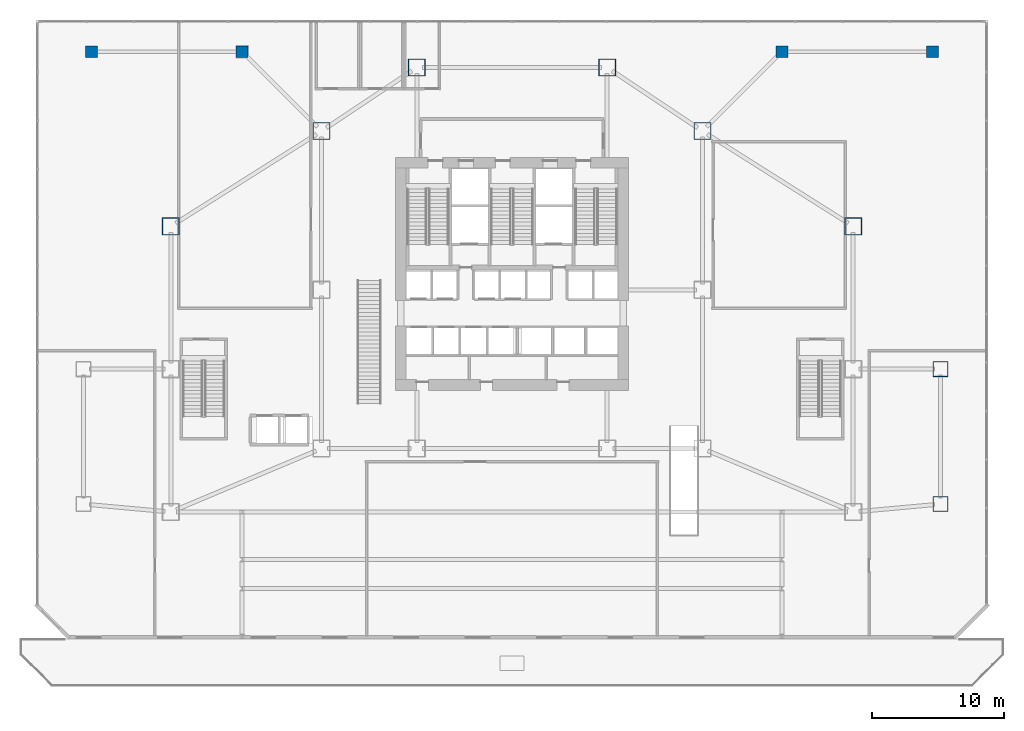
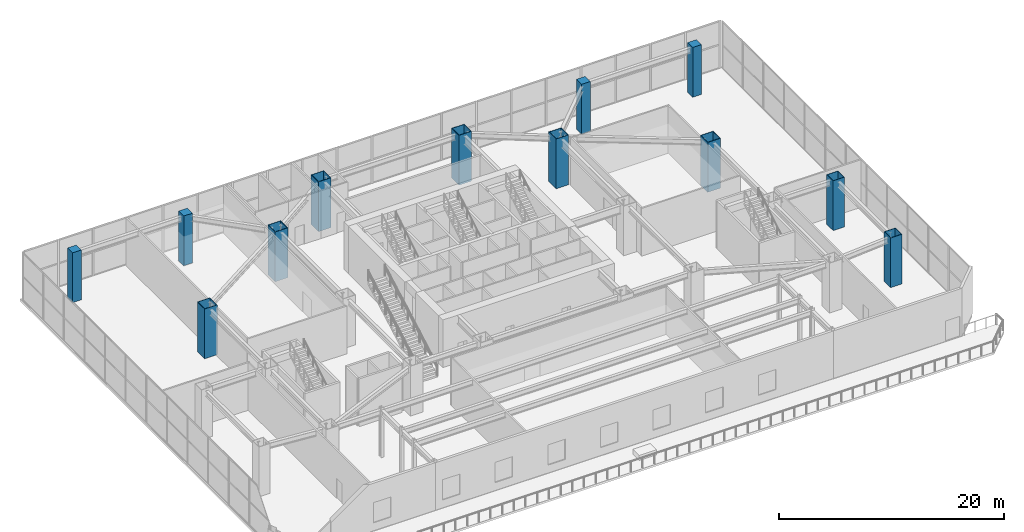
# One storey, part 3 of 37: 12 columns.
"""IFC4 building model written with IfcOpenShell, lengths in metres."""

from ifc_helpers import new_model, si_unit, direction, frame, origin, origin_2d, place, context, subcontext, project, spatial, rectangle, hollow_rectangle, extrude, material, material_profile, profile_set, type_object, element, save


model = new_model("IFC4")

# Units and contexts
model_context = context("Model", 3, precision=1e-05, world=origin(), true_north=direction((0.0, 1.0)))
body_context = subcontext(model_context, "Body", "Model", "MODEL_VIEW")
ifc_project = project(units=[si_unit("LENGTHUNIT", "METRE"), si_unit("AREAUNIT", "SQUARE_METRE"), si_unit("VOLUMEUNIT", "CUBIC_METRE"), si_unit("PLANEANGLEUNIT", "RADIAN"), si_unit("MASSUNIT", "GRAM", prefix="KILO")], contexts=[model_context])

# Site, building, storey
site_placement = place(None, origin())
site = spatial("IfcSite", under=ifc_project, at=site_placement, CompositionType="ELEMENT")
building_placement = place(site_placement, origin())
building = spatial("IfcBuilding", under=site, at=building_placement, Name="Haolan Belvedere Tower", CompositionType="ELEMENT")
storey_placement = place(building_placement, frame((0.0, 0.0, 10.199951171875)))
storey = spatial("IfcBuildingStorey", under=building, at=storey_placement, Name="L02", CompositionType="ELEMENT", Elevation=10.199951171875)

# Columns
ifc_material_1 = material(Name="Steel Q355B", Category="steel")
ifc_material_profile_1 = material_profile(ifc_material_1, hollow_rectangle(XDim=1.14990234375, YDim=1.14990234375, WallThickness=0.0419921875, at=origin_2d()), Name="Steel Q355B")
ifc_profile_set_1 = profile_set([ifc_material_profile_1], Name="Steel Q355B")
column_type_1 = type_object("IfcColumnType", Name="COL-BOX1150x1150x42", PredefinedType="COLUMN", material=ifc_profile_set_1)
for number, where, z_axis, x_axis, name in (
    (1, (70.800048828125, 17.39990234375, 0.0), (0.0, 0.0, 1.0), (1.0, 0.0, 0.0), "L02 column MC-T5-SE (BOX1150x1150x42)"),
    (2, (70.800048828125, 27.60009765625, 0.0), (0.0, 0.0, 1.0), (1.0, 0.0, 0.0), "L02 column MC-T5-NE (BOX1150x1150x42)"),
):
    element("IfcColumn", number, at=place(storey_placement, frame(where, z_axis=z_axis, x_axis=x_axis)), inside=storey, type_object=column_type_1, Name=name, PredefinedType="COLUMN", context=body_context, shape_type="SweptSolid", body=[
        extrude(hollow_rectangle(XDim=1.14990234375, YDim=1.14990234375, WallThickness=0.0419921875, at=origin_2d()), origin(), (0.0, 0.0, 1.0), 5.400146484375),
    ])
ifc_material_profile_2 = material_profile(ifc_material_1, hollow_rectangle(XDim=1.300048828125, YDim=1.300048828125, WallThickness=0.048095703125, at=origin_2d()), Name="Steel Q355B")
ifc_profile_set_2 = profile_set([ifc_material_profile_2], Name="Steel Q355B")
column_type_2 = type_object("IfcColumnType", Name="COL-BOX1300x1300x48", PredefinedType="COLUMN", material=ifc_profile_set_2)
for number, where, z_axis, x_axis, name in (
    (3, (24.0, 45.60009765625, 0.0), (0.0, 0.0, 1.0), (1.0, 0.0, 0.0), "L02 column MC-T3-NW (BOX1300x1300x48)"),
    (4, (52.800048828125, 45.60009765625, 0.0), (0.0, 0.0, 1.0), (1.0, 0.0, 0.0), "L02 column MC-T3-NE (BOX1300x1300x48)"),
    (5, (31.199951171875, 50.39990234375, 0.0), (0.0, 0.0, 1.0), (1.0, 0.0, 0.0), "L02 column MC-T3-N1 (BOX1300x1300x48)"),
    (6, (45.60009765625, 50.39990234375, 0.0), (0.0, 0.0, 1.0), (1.0, 0.0, 0.0), "L02 column MC-T3-N2 (BOX1300x1300x48)"),
    (7, (12.60009765625, 38.39990234375, 0.0), (0.0, 0.0, 1.0), (1.0, 0.0, 0.0), "L02 column MC-T2-NW (BOX1300x1300x48)"),
    (8, (64.199951171875, 38.39990234375, 0.0), (0.0, 0.0, 1.0), (1.0, 0.0, 0.0), "L02 column MC-T4-NE (BOX1300x1300x48)"),
):
    element("IfcColumn", number, at=place(storey_placement, frame(where, z_axis=z_axis, x_axis=x_axis)), inside=storey, type_object=column_type_2, Name=name, PredefinedType="COLUMN", context=body_context, shape_type="SweptSolid", body=[
        extrude(hollow_rectangle(XDim=1.300048828125, YDim=1.300048828125, WallThickness=0.048095703125, at=origin_2d()), origin(), (0.0, 0.0, 1.0), 5.400146484375),
    ])
ifc_material_2 = material(Name="Concrete C50/60", Category="concrete")
ifc_material_profile_3 = material_profile(ifc_material_2, rectangle(XDim=0.89990234375, YDim=0.89990234375, at=origin_2d()), Name="Concrete C50/60")
ifc_profile_set_3 = profile_set([ifc_material_profile_3], Name="Concrete C50/60")
column_type_3 = type_object("IfcColumnType", Name="COL-RC900x900", PredefinedType="COLUMN", material=ifc_profile_set_3)
for number, where, z_axis, x_axis, name in (
    (9, (6.60009765625, 51.60009765625, 0.0), (0.0, 0.0, 1.0), (1.0, 0.0, 0.0), "L02 column PC-NW-1 (RC900x900)"),
    (10, (18.0, 51.60009765625, 0.0), (0.0, 0.0, 1.0), (1.0, 0.0, 0.0), "L02 column PC-NW-2 (RC900x900)"),
    (11, (58.800048828125, 51.60009765625, 0.0), (0.0, 0.0, 1.0), (1.0, 0.0, 0.0), "L02 column PC-NE-1 (RC900x900)"),
    (12, (70.199951171875, 51.60009765625, 0.0), (0.0, 0.0, 1.0), (1.0, 0.0, 0.0), "L02 column PC-NE-2 (RC900x900)"),
):
    element("IfcColumn", number, at=place(storey_placement, frame(where, z_axis=z_axis, x_axis=x_axis)), inside=storey, type_object=column_type_3, Name=name, PredefinedType="COLUMN", context=body_context, shape_type="SweptSolid", body=[
        extrude(rectangle(XDim=0.89990234375, YDim=0.89990234375, at=origin_2d()), origin(), (0.0, 0.0, 1.0), 5.400146484375),
    ])

save(model, "model.ifc")
